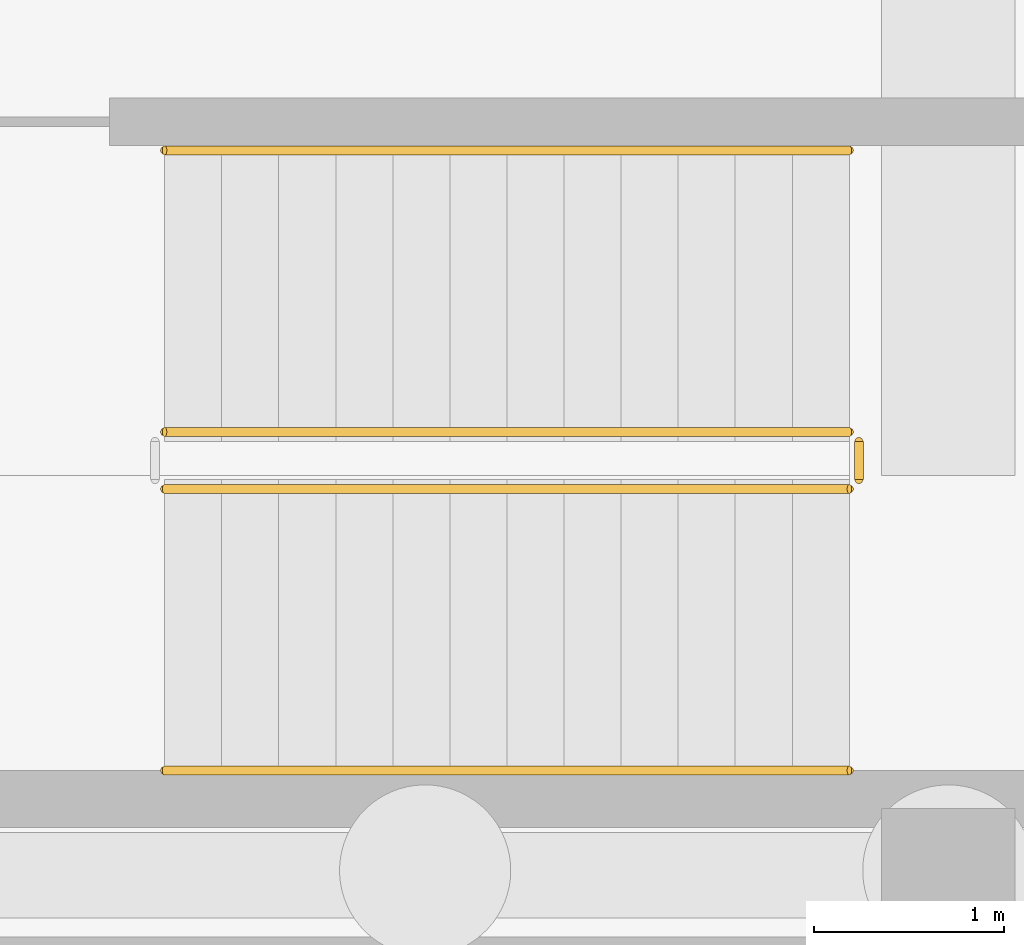
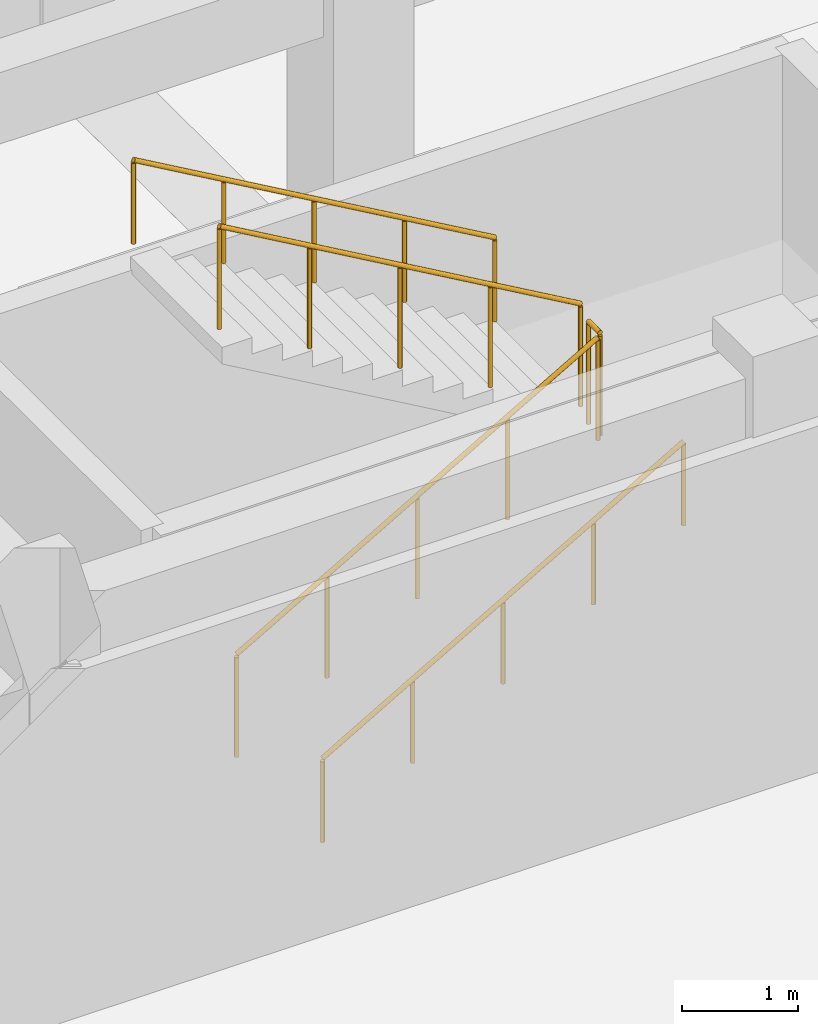
# One storey, part 47 of 48: 5 railings.
"""IFC4 building model written with IfcOpenShell, lengths in metres."""

from ifc_helpers import new_model, si_unit, direction, frame, origin, origin_2d, place, context, subcontext, project, spatial, circle, extrude, material, layer, layer_set, type_object, element, save


model = new_model("IFC4")

# Units and contexts
model_context = context("Model", 3, precision=1e-05, world=origin(), true_north=direction((0.0, 1.0)))
body_context = subcontext(model_context, "Body", "Model", "MODEL_VIEW")
ifc_project = project(units=[si_unit("LENGTHUNIT", "METRE"), si_unit("AREAUNIT", "SQUARE_METRE"), si_unit("VOLUMEUNIT", "CUBIC_METRE"), si_unit("PLANEANGLEUNIT", "RADIAN"), si_unit("MASSUNIT", "GRAM", prefix="KILO")], contexts=[model_context])

# Site, building, storey
site_placement = place(None, origin())
site = spatial("IfcSite", under=ifc_project, at=site_placement, CompositionType="ELEMENT")
building_placement = place(site_placement, origin())
building = spatial("IfcBuilding", under=site, at=building_placement, Name="Carrowvane Square Congress Hotel", CompositionType="ELEMENT")
storey_placement = place(building_placement, frame((0.0, 0.0, -4.5)))
storey = spatial("IfcBuildingStorey", under=building, at=storey_placement, Name="B01", CompositionType="ELEMENT", Elevation=-4.5)

# Railings
ifc_material_1 = material(Name="Stainless steel 316", Category="steel")
ifc_layer_1 = layer(ifc_material_1, 0.048095703125)
ifc_layer_set_1 = layer_set([ifc_layer_1], Name="Stainless steel 316")
railing_type_1 = type_object("IfcRailingType", Name="RLG-HR-900", PredefinedType="HANDRAIL", material=ifc_layer_set_1)
railing_1_placement = place(storey_placement, frame((137.080078125, 92.35009765625, 0.173095703125)))
element("IfcRailing", 1, at=railing_1_placement, inside=storey, type_object=railing_type_1, Name="B01 ST12 stair handrail 1", PredefinedType="HANDRAIL", context=body_context, shape_type="SweptSolid", body=[
    extrude(circle(Radius=0.02392578125, at=origin_2d()), frame((0.0, 0.0, 0.8759765625), z_axis=(0.866178740119, 0.0, 0.499734319579), x_axis=(0.0, 1.0, 0.0)), (0.0, 0.0, 1.0), 4.156005859375),
    extrude(circle(Radius=0.02099609375, at=origin_2d()), origin(), (0.0, 0.0, 1.0), 0.851806640625),
    extrude(circle(Radius=0.02099609375, at=origin_2d()), frame((0.89990234375, 0.0, 0.519287109375)), (0.0, 0.0, 1.0), 0.851806640625),
    extrude(circle(Radius=0.02099609375, at=origin_2d()), frame((1.7998046875, 0.0, 1.03857421875)), (0.0, 0.0, 1.0), 0.851806640625),
    extrude(circle(Radius=0.02099609375, at=origin_2d()), frame((2.699951171875, 0.0, 1.5576171875)), (0.0, 0.0, 1.0), 0.851806640625),
    extrude(circle(Radius=0.02099609375, at=origin_2d()), frame((3.599853515625, 0.0, 2.076904296875)), (0.0, 0.0, 1.0), 0.851806640625),
])
railing_2_placement = place(storey_placement, frame((140.679931640625, 95.610107421875, 2.423095703125)))
element("IfcRailing", 2, at=railing_2_placement, inside=storey, type_object=railing_type_1, Name="B01 ST12 stair handrail 2", PredefinedType="HANDRAIL", context=body_context, shape_type="SweptSolid", body=[
    extrude(circle(Radius=0.02392578125, at=origin_2d()), frame((0.0, 0.0, 0.8759765625), z_axis=(-0.866178740119, 0.0, 0.499734319579), x_axis=(0.0, -1.0, 0.0)), (0.0, 0.0, 1.0), 4.156005859375),
    extrude(circle(Radius=0.02099609375, at=origin_2d()), origin(), (0.0, 0.0, 1.0), 0.851806640625),
    extrude(circle(Radius=0.02099609375, at=origin_2d()), frame((-0.89990234375, 0.0, 0.519287109375)), (0.0, 0.0, 1.0), 0.851806640625),
    extrude(circle(Radius=0.02099609375, at=origin_2d()), frame((-1.7998046875, 0.0, 1.03857421875)), (0.0, 0.0, 1.0), 0.851806640625),
    extrude(circle(Radius=0.02099609375, at=origin_2d()), frame((-2.699951171875, 0.0, 1.5576171875)), (0.0, 0.0, 1.0), 0.851806640625),
    extrude(circle(Radius=0.02099609375, at=origin_2d()), frame((-3.599853515625, 0.0, 2.076904296875)), (0.0, 0.0, 1.0), 0.851806640625),
])
ifc_material_2 = material(Name="Galvanised steel", Category="steel")
ifc_layer_2 = layer(ifc_material_2, 0.048095703125)
ifc_layer_set_2 = layer_set([ifc_layer_2], Name="Galvanised steel")
railing_type_2 = type_object("IfcRailingType", Name="RLG-STG-1100", PredefinedType="GUARDRAIL", material=ifc_layer_set_2)
railing_3_placement = place(storey_placement, frame((137.080078125, 93.830078125, 0.173095703125)))
element("IfcRailing", 3, at=railing_3_placement, inside=storey, type_object=railing_type_2, Name="B01 ST12 stair guard 1", PredefinedType="GUARDRAIL", context=body_context, shape_type="SweptSolid", body=[
    extrude(circle(Radius=0.02392578125, at=origin_2d()), frame((0.0, 0.0, 1.076171875), z_axis=(0.866178740119, 0.0, 0.499734319579), x_axis=(0.0, 1.0, 0.0)), (0.0, 0.0, 1.0), 4.156005859375),
    extrude(circle(Radius=0.02099609375, at=origin_2d()), origin(), (0.0, 0.0, 1.0), 1.052001953125),
    extrude(circle(Radius=0.02099609375, at=origin_2d()), frame((0.89990234375, 0.0, 0.519287109375)), (0.0, 0.0, 1.0), 1.052001953125),
    extrude(circle(Radius=0.02099609375, at=origin_2d()), frame((1.7998046875, 0.0, 1.03857421875)), (0.0, 0.0, 1.0), 1.052001953125),
    extrude(circle(Radius=0.02099609375, at=origin_2d()), frame((2.699951171875, 0.0, 1.5576171875)), (0.0, 0.0, 1.0), 1.052001953125),
    extrude(circle(Radius=0.02099609375, at=origin_2d()), frame((3.599853515625, 0.0, 2.076904296875)), (0.0, 0.0, 1.0), 1.052001953125),
])
railing_4_placement = place(storey_placement, frame((140.72998046875, 93.8798828125, 2.25)))
element("IfcRailing", 4, at=railing_4_placement, inside=storey, type_object=railing_type_2, Name="B01 ST12 stair guard 2", PredefinedType="GUARDRAIL", context=body_context, shape_type="SweptSolid", body=[
    extrude(circle(Radius=0.02392578125, at=origin_2d()), frame((0.0, 0.0, 1.076171875), z_axis=(0.0, 1.0, 0.0), x_axis=(-1.0, 0.0, 0.0)), (0.0, 0.0, 1.0), 0.2001953125),
    extrude(circle(Radius=0.02099609375, at=origin_2d()), origin(), (0.0, 0.0, 1.0), 1.052001953125),
    extrude(circle(Radius=0.02099609375, at=origin_2d()), frame((0.0, 0.2001953125, 0.0)), (0.0, 0.0, 1.0), 1.052001953125),
])
railing_5_placement = place(storey_placement, frame((140.679931640625, 94.1298828125, 2.423095703125)))
element("IfcRailing", 5, at=railing_5_placement, inside=storey, type_object=railing_type_2, Name="B01 ST12 stair guard 3", PredefinedType="GUARDRAIL", context=body_context, shape_type="SweptSolid", body=[
    extrude(circle(Radius=0.02392578125, at=origin_2d()), frame((0.0, 0.0, 1.076171875), z_axis=(-0.866178740119, 0.0, 0.499734319579), x_axis=(0.0, -1.0, 0.0)), (0.0, 0.0, 1.0), 4.156005859375),
    extrude(circle(Radius=0.02099609375, at=origin_2d()), origin(), (0.0, 0.0, 1.0), 1.052001953125),
    extrude(circle(Radius=0.02099609375, at=origin_2d()), frame((-0.89990234375, 0.0, 0.519287109375)), (0.0, 0.0, 1.0), 1.052001953125),
    extrude(circle(Radius=0.02099609375, at=origin_2d()), frame((-1.7998046875, 0.0, 1.03857421875)), (0.0, 0.0, 1.0), 1.052001953125),
    extrude(circle(Radius=0.02099609375, at=origin_2d()), frame((-2.699951171875, 0.0, 1.5576171875)), (0.0, 0.0, 1.0), 1.052001953125),
    extrude(circle(Radius=0.02099609375, at=origin_2d()), frame((-3.599853515625, 0.0, 2.076904296875)), (0.0, 0.0, 1.0), 1.052001953125),
])

save(model, "model.ifc")
